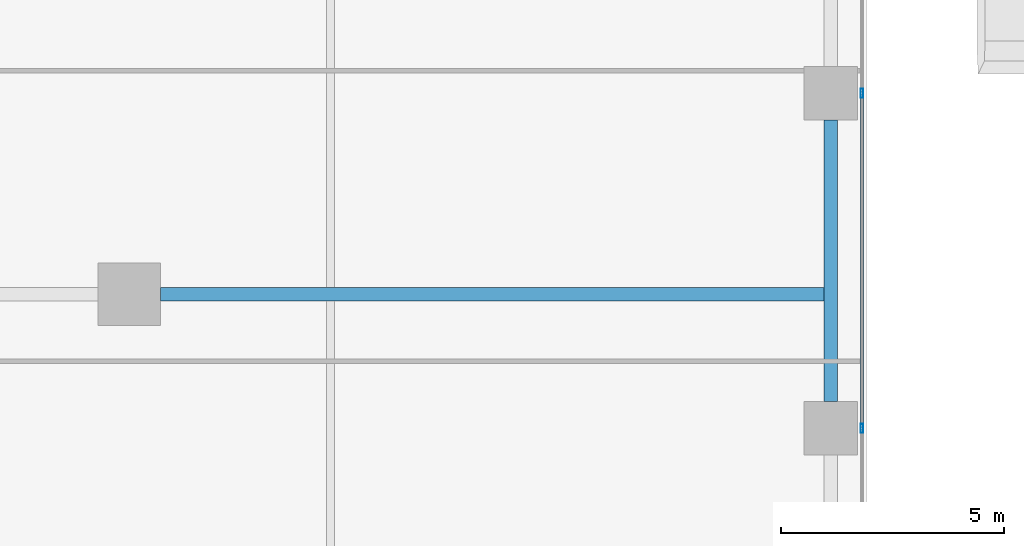
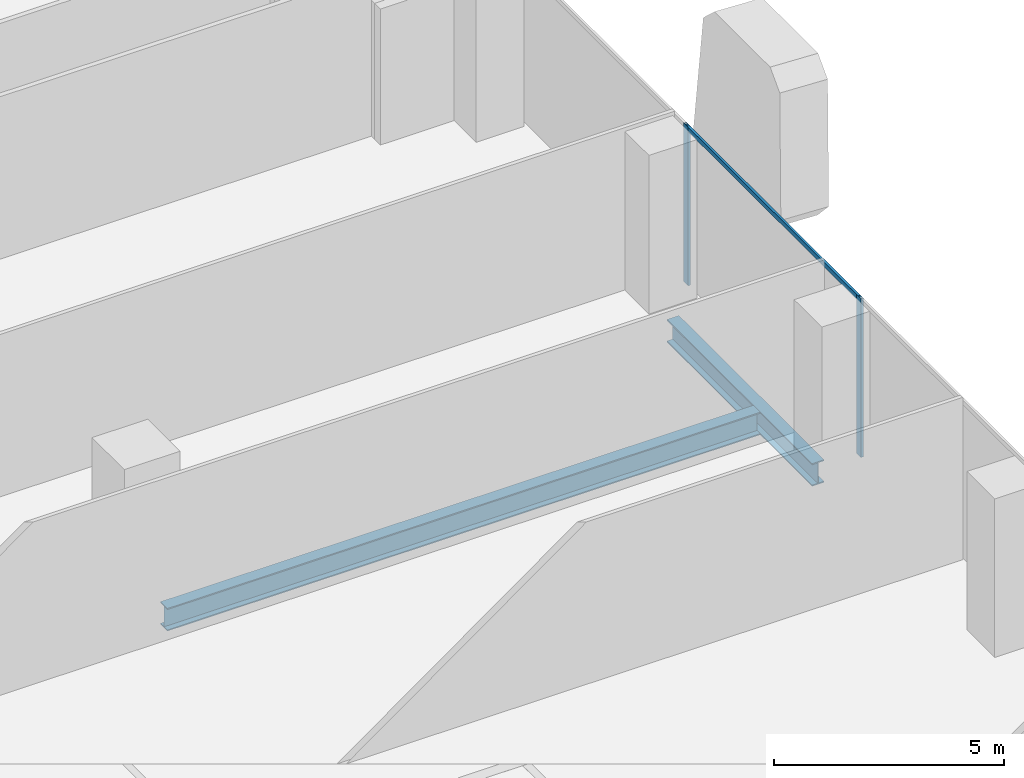
# One storey, part 11 of 35: 3 members, 2 beams, 1 element without a shape of its own.
"""IFC4 building model written with IfcOpenShell, lengths in metres."""

from ifc_helpers import new_model, si_unit, direction, frame, origin, origin_2d, place, context, subcontext, project, spatial, hollow_rectangle, i_section, extrude, source, transform, mapped, material, material_profile, profile_set, type_object, element, aggregate, save


model = new_model("IFC4")

# Units and contexts
model_context = context("Model", 3, precision=1e-05, world=origin(), true_north=direction((0.0, 1.0)))
body_context = subcontext(model_context, "Body", "Model", "MODEL_VIEW")
ifc_project = project(units=[si_unit("LENGTHUNIT", "METRE"), si_unit("AREAUNIT", "SQUARE_METRE"), si_unit("VOLUMEUNIT", "CUBIC_METRE"), si_unit("PLANEANGLEUNIT", "RADIAN"), si_unit("MASSUNIT", "GRAM", prefix="KILO")], contexts=[model_context])

# Site, building, storey
site_placement = place(None, origin())
site = spatial("IfcSite", under=ifc_project, at=site_placement, CompositionType="ELEMENT")
building_placement = place(site_placement, origin())
building = spatial("IfcBuilding", under=site, at=building_placement, Name="Khomas Fold Tower", CompositionType="ELEMENT")
storey_placement = place(building_placement, frame((0.0, 0.0, 69.0)))
storey = spatial("IfcBuildingStorey", under=building, at=storey_placement, Name="L14", CompositionType="ELEMENT", Elevation=69.0)

# Beams
ifc_material_1 = material(Name="Steel S355", Category="steel")
ifc_material_profile_1 = material_profile(ifc_material_1, i_section(OverallWidth=0.300048828125, OverallDepth=0.60009765625, WebThickness=0.015380859375, FlangeThickness=0.030029296875, at=origin_2d()), Name="HE 600 B")
ifc_profile_set_1 = profile_set([ifc_material_profile_1], Name="Steel S355")
beam_type_1 = type_object("IfcBeamType", Name="HE 600 B spandrel SB1", PredefinedType="SPANDREL", material=ifc_profile_set_1)
shared_shape_1 = source(origin(), body_context, "Body", "SweptSolid", [
    extrude(i_section(OverallWidth=0.300048828125, OverallDepth=0.60009765625, WebThickness=0.015380859375, FlangeThickness=0.030029296875, at=origin_2d()), origin(), (0.0, 0.0, 1.0), 6.2998046875),
])
beam_1_placement = place(storey_placement, frame((53.199951171875, 20.10009765625, -0.60009765625), z_axis=(0.0, 1.0, 0.0), x_axis=(-1.0, 0.0, 0.0)))
element("IfcBeam", 1, at=beam_1_placement, inside=storey, type_object=beam_type_1, Name="SB1", PredefinedType="SPANDREL", context=body_context, shape_type="MappedRepresentation", body=[
    mapped(shared_shape_1, transform((0.0, 0.0, 0.0))),
])
ifc_material_2 = material(Name="Steel S355", Category="steel")
ifc_material_profile_2 = material_profile(ifc_material_2, i_section(OverallWidth=0.300048828125, OverallDepth=0.60009765625, WebThickness=0.015380859375, FlangeThickness=0.030029296875, at=origin_2d()), Name="HE 600 B")
ifc_profile_set_2 = profile_set([ifc_material_profile_2], Name="Steel S355")
beam_type_2 = type_object("IfcBeamType", Name="HE 600 B beam GB5", PredefinedType="BEAM", material=ifc_profile_set_2)
shared_shape_2 = source(origin(), body_context, "Body", "SweptSolid", [
    extrude(i_section(OverallWidth=0.300048828125, OverallDepth=0.60009765625, WebThickness=0.015380859375, FlangeThickness=0.030029296875, at=origin_2d()), origin(), (0.0, 0.0, 1.0), 14.85009765625),
])
beam_2_placement = place(storey_placement, frame((38.199951171875, 22.5, -0.60009765625), z_axis=(1.0, 0.0, 0.0), x_axis=(0.0, 1.0, 0.0)))
element("IfcBeam", 2, at=beam_2_placement, inside=storey, type_object=beam_type_2, Name="GB5", PredefinedType="BEAM", context=body_context, shape_type="MappedRepresentation", body=[
    mapped(shared_shape_2, transform((0.0, 0.0, 0.0))),
])

# Curtain wall, members
ifc_material_3 = material(Name="Aluminium framed double glazing", Category="aluminium")
curtain_wall_type = type_object("IfcCurtainWallType", Name="SK-Unitised clear-glass wall, growing floors CW1", PredefinedType="NOTDEFINED", material=ifc_material_3)
curtain_wall_placement = place(storey_placement, origin())
curtain_wall = element("IfcCurtainWall", 3, at=curtain_wall_placement, inside=storey, type_object=curtain_wall_type, Name="CW1 run L14 03-0", PredefinedType="NOTDEFINED")
ifc_material_4 = material(Name="Aluminium", Category="aluminium")
ifc_material_profile_3 = material_profile(ifc_material_4, hollow_rectangle(XDim=0.06005859375, YDim=0.1201171875, WallThickness=0.00390625, at=origin_2d()), Name="SK-Unitised clear-glass wall, growing floors transom CW1-T")
ifc_profile_set_3 = profile_set([ifc_material_profile_3], Name="Aluminium")
member_type_1 = type_object("IfcMemberType", Name="SK-Unitised clear-glass wall, growing floors transom CW1-T", PredefinedType="USERDEFINED", material=ifc_profile_set_3)
shared_shape_3 = source(origin(), body_context, "Body", "SweptSolid", [
    extrude(hollow_rectangle(XDim=0.06005859375, YDim=0.1201171875, WallThickness=0.00390625, at=origin_2d()), origin(), (0.0, 0.0, 1.0), 7.43994140625),
])
member_1_placement = place(storey_placement, frame((53.89990234375, 19.530029296875, 4.139892578125), z_axis=(0.0, 1.0, 0.0), x_axis=(-1.0, 0.0, 0.0)))
member_1 = element("IfcMember", 4, at=member_1_placement, type_object=member_type_1, Name="CW1 transom 4", ObjectType="TRANSOM", PredefinedType="USERDEFINED", context=body_context, shape_type="MappedRepresentation", body=[
    mapped(shared_shape_3, transform((0.0, 0.0, 0.0))),
])
ifc_material_5 = material(Name="Aluminium", Category="aluminium")
ifc_material_profile_4 = material_profile(ifc_material_5, hollow_rectangle(XDim=0.06005859375, YDim=0.199951171875, WallThickness=0.00390625, at=origin_2d()), Name="SK-Unitised clear-glass wall, growing floors mullion CW1-M")
ifc_profile_set_4 = profile_set([ifc_material_profile_4], Name="Aluminium")
member_type_2 = type_object("IfcMemberType", Name="SK-Unitised clear-glass wall, growing floors mullion CW1-M", PredefinedType="MULLION", material=ifc_profile_set_4)
shared_shape_4 = source(origin(), body_context, "Body", "SweptSolid", [
    extrude(hollow_rectangle(XDim=0.06005859375, YDim=0.199951171875, WallThickness=0.00390625, at=origin_2d()), origin(), (0.0, 0.0, 1.0), 4.199951171875),
])
member_2_placement = place(storey_placement, frame((53.89990234375, 19.5, 0.0), z_axis=(0.0, 0.0, 1.0), x_axis=(-1.0, 0.0, 0.0)))
member_2 = element("IfcMember", 5, at=member_2_placement, type_object=member_type_2, Name="CW1 mullion 4", PredefinedType="MULLION", context=body_context, shape_type="MappedRepresentation", body=[
    mapped(shared_shape_4, transform((0.0, 0.0, 0.0))),
])
member_3_placement = place(storey_placement, frame((53.89990234375, 27.0, 0.0), z_axis=(0.0, 0.0, 1.0), x_axis=(-1.0, 0.0, 0.0)))
member_3 = element("IfcMember", 6, at=member_3_placement, type_object=member_type_2, Name="CW1 mullion 5", PredefinedType="MULLION", context=body_context, shape_type="MappedRepresentation", body=[
    mapped(shared_shape_4, transform((0.0, 0.0, 0.0))),
])
aggregate(curtain_wall, [member_2, member_3, member_1])

save(model, "model.ifc")
